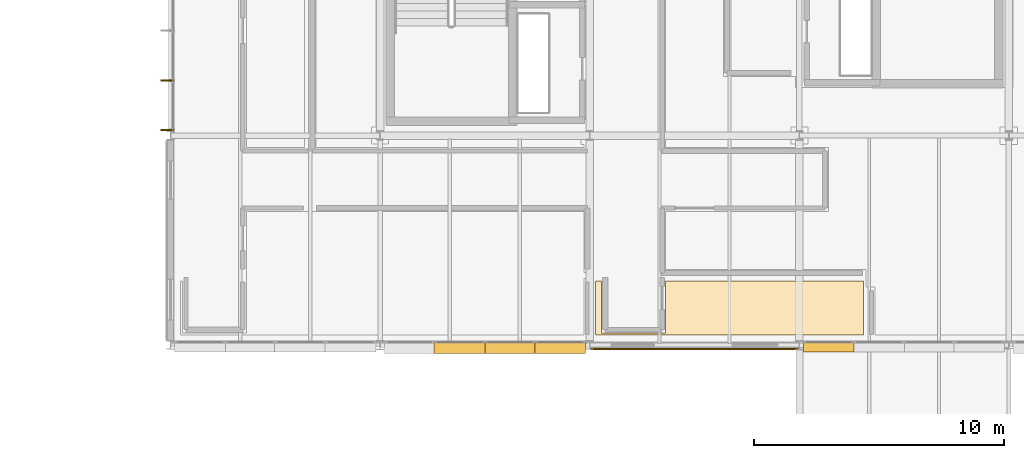
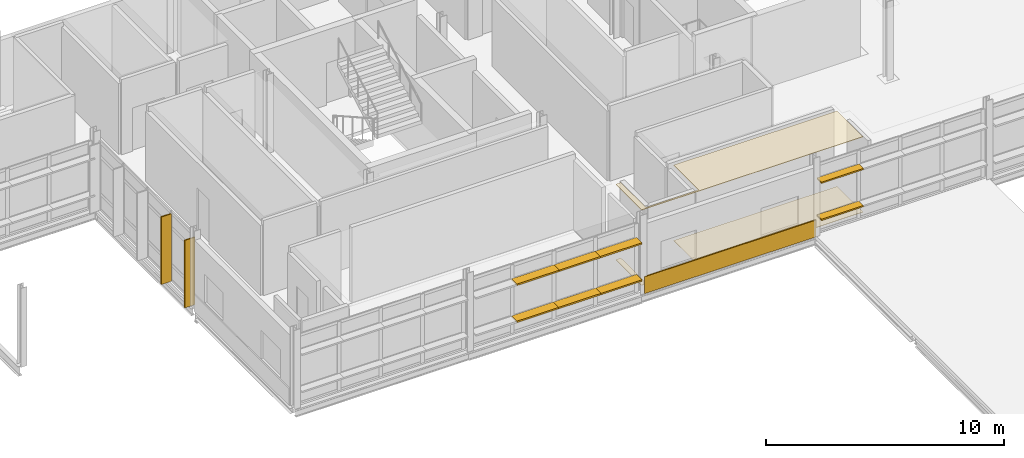
# One storey, part 52 of 57: 10 shading devices, 3 coverings.
"""IFC4 building model written with IfcOpenShell, lengths in metres."""

from ifc_helpers import new_model, si_unit, direction, frame, origin, origin_2d, place, context, subcontext, project, spatial, polyline, rectangle, outline, extrude, material, layer, layer_set, type_object, element, save


model = new_model("IFC4")

# Units and contexts
model_context = context("Model", 3, precision=1e-05, world=origin(), true_north=direction((0.0, 1.0)))
body_context = subcontext(model_context, "Body", "Model", "MODEL_VIEW")
ifc_project = project(units=[si_unit("LENGTHUNIT", "METRE"), si_unit("AREAUNIT", "SQUARE_METRE"), si_unit("VOLUMEUNIT", "CUBIC_METRE"), si_unit("PLANEANGLEUNIT", "RADIAN"), si_unit("MASSUNIT", "GRAM", prefix="KILO")], contexts=[model_context])

# Site, building, storey
site_placement = place(None, origin())
site = spatial("IfcSite", under=ifc_project, at=site_placement, CompositionType="ELEMENT")
building_placement = place(site_placement, origin())
building = spatial("IfcBuilding", under=site, at=building_placement, Name="Mersafa Astral City Hall", CompositionType="ELEMENT")
storey_placement = place(building_placement, frame((0.0, 0.0, 26.10009765625)))
storey = spatial("IfcBuildingStorey", under=building, at=storey_placement, Name="L06", CompositionType="ELEMENT", Elevation=26.10009765625)

# Covering
ifc_material_1 = material(Name="Cairo Mokattam buff limestone cladding", Category="masonry")
ifc_layer_1 = layer(ifc_material_1, 0.06005859375, Name="Cairo Mokattam buff limestone cladding")
ifc_layer_set_1 = layer_set([ifc_layer_1], Name="Cairo Mokattam buff limestone cladding — ENV-COV-LIMESTONE-60")
covering_type_1 = type_object("IfcCoveringType", Name="ENV-COV-LIMESTONE-60", PredefinedType="CLADDING", material=ifc_layer_set_1)
covering_1_placement = place(storey_placement, frame((163.800048828125, 100.653076171875, 0.0), z_axis=(0.0, 0.0, 1.0), x_axis=(1.0, 0.0, 0.0)))
element("IfcCovering", 1, at=covering_1_placement, inside=storey, type_object=covering_type_1, Name="L06 Cairo buff limestone rainscreen cladding 347", PredefinedType="CLADDING", context=body_context, shape_type="SweptSolid", body=[
    extrude(rectangle(XDim=8.323974609375, YDim=0.06005859375, at=origin_2d()), origin(), (0.0, 0.0, 1.0), 0.860107421875),
])

# Shading devices
ifc_material_2 = material(Name="Anodised bronze aluminium solar fin", Category="aluminium")
shading_device_type_1 = type_object("IfcShadingDeviceType", Name="ENV-SHD-FIN-500A", PredefinedType="USERDEFINED", material=ifc_material_2)
for number, where, z_axis, x_axis, name in (
    (2, (142.655029296875, 111.3984375, -0.01513671875), (0.0, 0.0, 1.0), (0.0, -1.0, 0.0), "L06 Vertical bronze solar fin 1598"),
    (3, (142.655029296875, 109.422119140625, -0.01513671875), (0.0, 0.0, 1.0), (0.0, -1.0, 0.0), "L06 Vertical bronze solar fin 1599"),
):
    element("IfcShadingDevice", number, at=place(storey_placement, frame(where, z_axis=z_axis, x_axis=x_axis)), inside=storey, type_object=shading_device_type_1, Name=name, ObjectType="FIN", PredefinedType="USERDEFINED", context=body_context, shape_type="SweptSolid", body=[
        extrude(rectangle(XDim=0.06005859375, YDim=0.5, at=origin_2d()), origin(), (0.0, 0.0, 1.0), 3.45703125),
    ])
ifc_material_3 = material(Name="Kiln-dried cedar timber brise-soleil blade", Category="wood")
shading_device_type_2 = type_object("IfcShadingDeviceType", Name="ENV-SHD-LOUVRE-380", PredefinedType="JALOUSIE", material=ifc_material_3)
for number, where, z_axis, x_axis, name in (
    (4, (169.1865234375, 100.719970703125, 0.81494140625), (0.0, 0.0, 1.0), (1.0, 0.0, 0.0), "L06 Horizontal cedar brise-soleil louvre 1616"),
    (5, (169.1865234375, 100.719970703125, 2.71484375), (0.0, 0.0, 1.0), (1.0, 0.0, 0.0), "L06 Horizontal cedar brise-soleil louvre 1620"),
):
    element("IfcShadingDevice", number, at=place(storey_placement, frame(where, z_axis=z_axis, x_axis=x_axis)), inside=storey, type_object=shading_device_type_2, Name=name, PredefinedType="JALOUSIE", context=body_context, shape_type="SweptSolid", body=[
        extrude(rectangle(XDim=2.029052734375, YDim=0.3798828125, at=origin_2d()), origin(), (0.0, 0.0, 1.0), 0.070068359375),
    ])
shading_device_type_3 = type_object("IfcShadingDeviceType", Name="ENV-SHD-LOUVRE-450", PredefinedType="JALOUSIE", material=ifc_material_3)
for number, where, z_axis, x_axis, name in (
    (6, (154.390380859375, 100.68505859375, 0.809814453125), (0.0, 0.0, 1.0), (1.0, 0.0, 0.0), "L06 Horizontal cedar brise-soleil louvre 1609"),
    (7, (156.409423828125, 100.68505859375, 0.809814453125), (0.0, 0.0, 1.0), (1.0, 0.0, 0.0), "L06 Horizontal cedar brise-soleil louvre 1610"),
):
    element("IfcShadingDevice", number, at=place(storey_placement, frame(where, z_axis=z_axis, x_axis=x_axis)), inside=storey, type_object=shading_device_type_3, Name=name, PredefinedType="JALOUSIE", context=body_context, shape_type="SweptSolid", body=[
        extrude(rectangle(XDim=2.05908203125, YDim=0.449951171875, at=origin_2d()), origin(), (0.0, 0.0, 1.0), 0.080078125),
    ])
shading_device_1_placement = place(storey_placement, frame((158.41357421875, 100.68505859375, 0.809814453125), z_axis=(0.0, 0.0, 1.0), x_axis=(1.0, 0.0, 0.0)))
element("IfcShadingDevice", 8, at=shading_device_1_placement, inside=storey, type_object=shading_device_type_3, Name="L06 Horizontal cedar brise-soleil louvre 1611", PredefinedType="JALOUSIE", context=body_context, shape_type="SweptSolid", body=[
    extrude(rectangle(XDim=2.029052734375, YDim=0.449951171875, at=origin_2d()), origin(), (0.0, 0.0, 1.0), 0.080078125),
])
for number, where, z_axis, x_axis, name in (
    (9, (154.390380859375, 100.68505859375, 2.7099609375), (0.0, 0.0, 1.0), (1.0, 0.0, 0.0), "L06 Horizontal cedar brise-soleil louvre 1613"),
    (10, (156.409423828125, 100.68505859375, 2.7099609375), (0.0, 0.0, 1.0), (1.0, 0.0, 0.0), "L06 Horizontal cedar brise-soleil louvre 1614"),
):
    element("IfcShadingDevice", number, at=place(storey_placement, frame(where, z_axis=z_axis, x_axis=x_axis)), inside=storey, type_object=shading_device_type_3, Name=name, PredefinedType="JALOUSIE", context=body_context, shape_type="SweptSolid", body=[
        extrude(rectangle(XDim=2.05908203125, YDim=0.449951171875, at=origin_2d()), origin(), (0.0, 0.0, 1.0), 0.080078125),
    ])
shading_device_2_placement = place(storey_placement, frame((158.41357421875, 100.68505859375, 2.7099609375), z_axis=(0.0, 0.0, 1.0), x_axis=(1.0, 0.0, 0.0)))
element("IfcShadingDevice", 11, at=shading_device_2_placement, inside=storey, type_object=shading_device_type_3, Name="L06 Horizontal cedar brise-soleil louvre 1615", PredefinedType="JALOUSIE", context=body_context, shape_type="SweptSolid", body=[
    extrude(rectangle(XDim=2.029052734375, YDim=0.449951171875, at=origin_2d()), origin(), (0.0, 0.0, 1.0), 0.080078125),
])

# Coverings
ifc_material_4 = material(Name="Perforated acoustic gypsum board ceiling", Category="gypsum")
ifc_layer_2 = layer(ifc_material_4, 0.02490234375, Name="Perforated acoustic gypsum board ceiling")
ifc_layer_set_2 = layer_set([ifc_layer_2], Name="Perforated acoustic gypsum board ceiling — INT-COV-CEIL-25")
covering_type_2 = type_object("IfcCoveringType", Name="INT-COV-CEIL-25", PredefinedType="CEILING", material=ifc_layer_set_2)
covering_2_placement = place(storey_placement, frame((0.0, 0.0, 3.85595703125)))
element("IfcCovering", 12, at=covering_2_placement, inside=storey, type_object=covering_type_2, Name="L06 Ceremonial Conference Room L06-16 acoustic ceiling", PredefinedType="CEILING", context=body_context, shape_type="SweptSolid", body=[
    extrude(outline(polyline([(160.080078125, 103.3701171875), (160.080078125, 101.280029296875), (162.639892578125, 101.280029296875), (162.639892578125, 103.3701171875), (170.570068359375, 103.3701171875), (170.570068359375, 101.199951171875), (159.830078125, 101.199951171875), (159.830078125, 103.3701171875), (160.080078125, 103.3701171875)])), origin(), (0.0, 0.0, 1.0), 0.02490234375),
])
ifc_material_5 = material(Name="Heavy-duty woven acoustic carpet tile", Category="finish")
ifc_layer_3 = layer(ifc_material_5, 0.014892578125, Name="Heavy-duty woven acoustic carpet tile")
ifc_layer_set_3 = layer_set([ifc_layer_3], Name="Heavy-duty woven acoustic carpet tile — INT-COV-FLR-15")
covering_type_3 = type_object("IfcCoveringType", Name="INT-COV-FLR-15", PredefinedType="FLOORING", material=ifc_layer_set_3)
covering_3_placement = place(storey_placement, frame((0.0, 0.0, -0.001708984375)))
element("IfcCovering", 13, at=covering_3_placement, inside=storey, type_object=covering_type_3, Name="L06 Ceremonial Conference Room L06-16 architectural flooring", PredefinedType="FLOORING", context=body_context, shape_type="SweptSolid", body=[
    extrude(outline(polyline([(160.080078125, 103.3701171875), (160.080078125, 101.280029296875), (162.639892578125, 101.280029296875), (162.639892578125, 103.3701171875), (170.570068359375, 103.3701171875), (170.570068359375, 101.199951171875), (159.830078125, 101.199951171875), (159.830078125, 103.3701171875), (160.080078125, 103.3701171875)])), origin(), (0.0, 0.0, 1.0), 0.014892578125),
])

save(model, "model.ifc")
